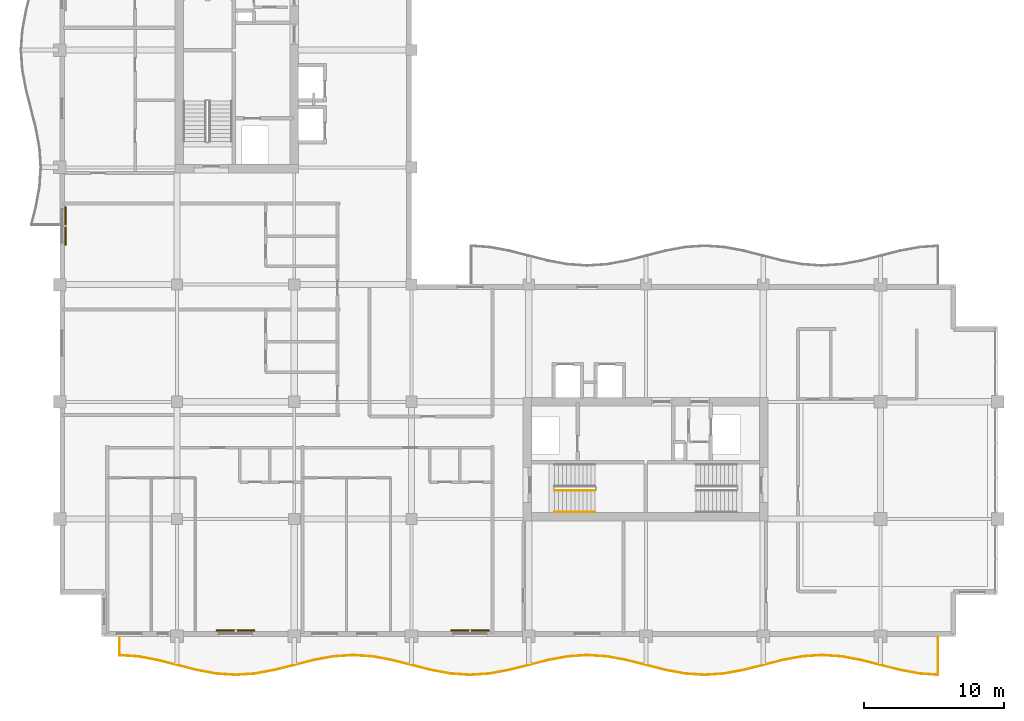
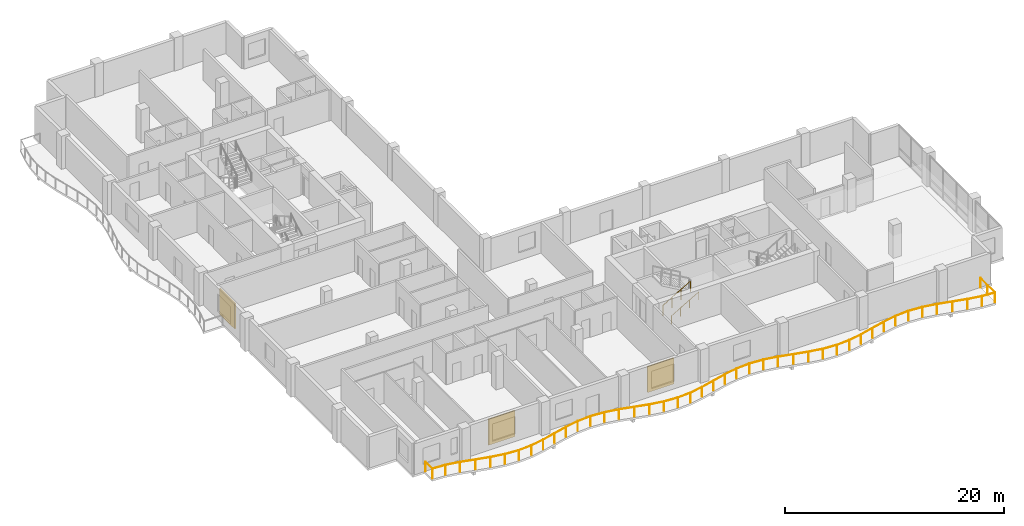
# One storey, part 13 of 16: 3 railings, 3 shading devices.
"""IFC4 building model written with IfcOpenShell, lengths in metres."""

from ifc_helpers import new_model, si_unit, direction, frame, origin, origin_2d, place, context, subcontext, project, spatial, rectangle, circle, extrude, material, layer, layer_set, type_object, element, save


model = new_model("IFC4")

# Units and contexts
model_context = context("Model", 3, precision=1e-05, world=origin(), true_north=direction((0.0, 1.0)))
body_context = subcontext(model_context, "Body", "Model", "MODEL_VIEW")
ifc_project = project(units=[si_unit("LENGTHUNIT", "METRE"), si_unit("AREAUNIT", "SQUARE_METRE"), si_unit("VOLUMEUNIT", "CUBIC_METRE"), si_unit("PLANEANGLEUNIT", "RADIAN"), si_unit("MASSUNIT", "GRAM", prefix="KILO")], contexts=[model_context])

# Site, building, storey
site_placement = place(None, origin())
site = spatial("IfcSite", under=ifc_project, at=site_placement, CompositionType="ELEMENT")
building_placement = place(site_placement, origin())
building = spatial("IfcBuilding", under=site, at=building_placement, Name="Koriwani Terraces Tower", CompositionType="ELEMENT")
storey_placement = place(building_placement, frame((0.0, 0.0, 260.10009765625)))
storey = spatial("IfcBuildingStorey", under=building, at=storey_placement, Name="L64", CompositionType="ELEMENT", Elevation=260.10009765625)

# Railings
ifc_material_1 = material(Name="Steel ASTM A572 Grade 50", Category="steel")
railing_type_1 = type_object("IfcRailingType", Name="GUARD_BALUSTRADE_1150", PredefinedType="BALUSTRADE", material=ifc_material_1)
railing_1_placement = place(storey_placement, frame((12.679931640625, 8.320068359375, 0.0)))
element("IfcRailing", 1, at=railing_1_placement, inside=storey, type_object=railing_type_1, Name="L64 Balcony Perimeter Safety Balustrade (S)", PredefinedType="BALUSTRADE", context=body_context, shape_type="SweptSolid", body=[
    extrude(circle(Radius=0.02392578125, at=origin_2d()), frame((0.0, 0.0, 1.1259765625), z_axis=(0.0, -1.0, 0.0), x_axis=(1.0, 0.0, 0.0)), (0.0, 0.0, 1.0), 1.275146484375),
    extrude(circle(Radius=0.02392578125, at=origin_2d()), frame((0.0, -1.275146484375, 1.1259765625), z_axis=(0.997676908726, -0.068123313151, 0.0), x_axis=(0.068123313151, 0.997676908726, 0.0)), (0.0, 0.0, 1.0), 1.333251953125),
    extrude(circle(Radius=0.02392578125, at=origin_2d()), frame((1.330078125, -1.365966796875, 1.1259765625), z_axis=(0.983227655562, -0.182382502828, 0.0), x_axis=(0.182382502828, 0.983227655562, 0.0)), (0.0, 0.0, 1.0), 1.430908203125),
    extrude(circle(Radius=0.02392578125, at=origin_2d()), frame((2.737060546875, -1.626953125, 1.1259765625), z_axis=(0.969331819617, -0.245755617389, 0.0), x_axis=(0.245755617389, 0.969331819617, 0.0)), (0.0, 0.0, 1.0), 2.888916015625),
    extrude(circle(Radius=0.02392578125, at=origin_2d()), frame((5.537353515625, -2.3369140625, 1.1259765625), z_axis=(0.98320420208, -0.182508895706, 0.0), x_axis=(0.182508895706, 0.98320420208, 0.0)), (0.0, 0.0, 1.0), 1.41650390625),
    extrude(circle(Radius=0.02392578125, at=origin_2d()), frame((6.93017578125, -2.595458984375, 1.1259765625), z_axis=(0.997697457915, -0.067821696155, 0.0), x_axis=(0.067821696155, 0.997697457915, 0.0)), (0.0, 0.0, 1.0), 1.39306640625),
    extrude(circle(Radius=0.02392578125, at=origin_2d()), frame((8.320068359375, -2.68994140625, 1.1259765625), z_axis=(0.997697457915, 0.067821696155, 0.0), x_axis=(-0.067821696155, 0.997697457915, 0.0)), (0.0, 0.0, 1.0), 1.39306640625),
    extrude(circle(Radius=0.02392578125, at=origin_2d()), frame((9.7099609375, -2.595458984375, 1.1259765625), z_axis=(0.98320420208, 0.182508895706, 0.0), x_axis=(-0.182508895706, 0.98320420208, 0.0)), (0.0, 0.0, 1.0), 1.41650390625),
    extrude(circle(Radius=0.02392578125, at=origin_2d()), frame((11.102783203125, -2.3369140625, 1.1259765625), z_axis=(0.969331819617, 0.245755617389, 0.0), x_axis=(-0.245755617389, 0.969331819617, 0.0)), (0.0, 0.0, 1.0), 2.888916015625),
    extrude(circle(Radius=0.02392578125, at=origin_2d()), frame((13.903076171875, -1.626953125, 1.1259765625), z_axis=(0.983227655562, 0.182382502828, 0.0), x_axis=(-0.182382502828, 0.983227655562, 0.0)), (0.0, 0.0, 1.0), 1.430908203125),
    extrude(circle(Radius=0.02392578125, at=origin_2d()), frame((15.31005859375, -1.365966796875, 1.1259765625), z_axis=(0.997704165633, 0.067722949425, 0.0), x_axis=(-0.067722949425, 0.997704165633, 0.0)), (0.0, 0.0, 1.0), 1.4130859375),
    extrude(circle(Radius=0.02392578125, at=origin_2d()), frame((16.719970703125, -1.270263671875, 1.1259765625), z_axis=(0.997704957786, -0.067711278299, 0.0), x_axis=(0.067711278299, 0.997704957786, 0.0)), (0.0, 0.0, 1.0), 1.413330078125),
    extrude(circle(Radius=0.02392578125, at=origin_2d()), frame((18.130126953125, -1.365966796875, 1.1259765625), z_axis=(0.983227655562, -0.182382502828, 0.0), x_axis=(0.182382502828, 0.983227655562, 0.0)), (0.0, 0.0, 1.0), 1.430908203125),
    extrude(circle(Radius=0.02392578125, at=origin_2d()), frame((19.537109375, -1.626953125, 1.1259765625), z_axis=(0.969326714928, -0.245775750895, 0.0), x_axis=(0.245775750895, 0.969326714928, 0.0)), (0.0, 0.0, 1.0), 2.888671875),
    extrude(circle(Radius=0.02392578125, at=origin_2d()), frame((22.337158203125, -2.3369140625, 1.1259765625), z_axis=(0.98320420208, -0.182508895706, 0.0), x_axis=(0.182508895706, 0.98320420208, 0.0)), (0.0, 0.0, 1.0), 1.41650390625),
    extrude(circle(Radius=0.02392578125, at=origin_2d()), frame((23.72998046875, -2.595458984375, 1.1259765625), z_axis=(0.997698263815, -0.067809839848, 0.0), x_axis=(0.067809839848, 0.997698263815, 0.0)), (0.0, 0.0, 1.0), 1.393310546875),
    extrude(circle(Radius=0.02392578125, at=origin_2d()), frame((25.1201171875, -2.68994140625, 1.1259765625), z_axis=(0.997697457915, 0.067821696155, 0.0), x_axis=(-0.067821696155, 0.997697457915, 0.0)), (0.0, 0.0, 1.0), 1.39306640625),
    extrude(circle(Radius=0.02392578125, at=origin_2d()), frame((26.510009765625, -2.595458984375, 1.1259765625), z_axis=(0.98320420208, 0.182508895706, 0.0), x_axis=(-0.182508895706, 0.98320420208, 0.0)), (0.0, 0.0, 1.0), 1.41650390625),
    extrude(circle(Radius=0.02392578125, at=origin_2d()), frame((27.90283203125, -2.3369140625, 1.1259765625), z_axis=(0.969326714928, 0.245775750895, 0.0), x_axis=(-0.245775750895, 0.969326714928, 0.0)), (0.0, 0.0, 1.0), 2.888671875),
    extrude(circle(Radius=0.02392578125, at=origin_2d()), frame((30.702880859375, -1.626953125, 1.1259765625), z_axis=(0.983233329212, 0.182351913416, 0.0), x_axis=(-0.182351913416, 0.983233329212, 0.0)), (0.0, 0.0, 1.0), 1.43115234375),
    extrude(circle(Radius=0.02392578125, at=origin_2d()), frame((32.110107421875, -1.365966796875, 1.1259765625), z_axis=(0.997704165633, 0.067722949425, 0.0), x_axis=(-0.067722949425, 0.997704165633, 0.0)), (0.0, 0.0, 1.0), 1.4130859375),
    extrude(circle(Radius=0.02392578125, at=origin_2d()), frame((33.52001953125, -1.270263671875, 1.1259765625), z_axis=(0.997704957786, -0.067711278299, 0.0), x_axis=(0.067711278299, 0.997704957786, 0.0)), (0.0, 0.0, 1.0), 1.413330078125),
    extrude(circle(Radius=0.02392578125, at=origin_2d()), frame((34.93017578125, -1.365966796875, 1.1259765625), z_axis=(0.983227655562, -0.182382502828, 0.0), x_axis=(0.182382502828, 0.983227655562, 0.0)), (0.0, 0.0, 1.0), 1.430908203125),
    extrude(circle(Radius=0.02392578125, at=origin_2d()), frame((36.337158203125, -1.626953125, 1.1259765625), z_axis=(0.969326714928, -0.245775750895, 0.0), x_axis=(0.245775750895, 0.969326714928, 0.0)), (0.0, 0.0, 1.0), 2.888671875),
    extrude(circle(Radius=0.02392578125, at=origin_2d()), frame((39.13720703125, -2.3369140625, 1.1259765625), z_axis=(0.98320420208, -0.182508895706, 0.0), x_axis=(0.182508895706, 0.98320420208, 0.0)), (0.0, 0.0, 1.0), 1.41650390625),
    extrude(circle(Radius=0.02392578125, at=origin_2d()), frame((40.530029296875, -2.595458984375, 1.1259765625), z_axis=(0.997698263815, -0.067809839848, 0.0), x_axis=(0.067809839848, 0.997698263815, 0.0)), (0.0, 0.0, 1.0), 1.393310546875),
    extrude(circle(Radius=0.02392578125, at=origin_2d()), frame((41.920166015625, -2.68994140625, 1.1259765625), z_axis=(0.997697457915, 0.067821696155, 0.0), x_axis=(-0.067821696155, 0.997697457915, 0.0)), (0.0, 0.0, 1.0), 1.39306640625),
    extrude(circle(Radius=0.02392578125, at=origin_2d()), frame((43.31005859375, -2.595458984375, 1.1259765625), z_axis=(0.98320420208, 0.182508895706, 0.0), x_axis=(-0.182508895706, 0.98320420208, 0.0)), (0.0, 0.0, 1.0), 1.41650390625),
    extrude(circle(Radius=0.02392578125, at=origin_2d()), frame((44.702880859375, -2.3369140625, 1.1259765625), z_axis=(0.969326714928, 0.245775750895, 0.0), x_axis=(-0.245775750895, 0.969326714928, 0.0)), (0.0, 0.0, 1.0), 2.888671875),
    extrude(circle(Radius=0.02392578125, at=origin_2d()), frame((47.5029296875, -1.626953125, 1.1259765625), z_axis=(0.983233329212, 0.182351913416, 0.0), x_axis=(-0.182351913416, 0.983233329212, 0.0)), (0.0, 0.0, 1.0), 1.43115234375),
    extrude(circle(Radius=0.02392578125, at=origin_2d()), frame((48.91015625, -1.365966796875, 1.1259765625), z_axis=(0.997704165633, 0.067722949425, 0.0), x_axis=(-0.067722949425, 0.997704165633, 0.0)), (0.0, 0.0, 1.0), 1.4130859375),
    extrude(circle(Radius=0.02392578125, at=origin_2d()), frame((50.320068359375, -1.270263671875, 1.1259765625), z_axis=(0.997704165633, -0.067722949425, 0.0), x_axis=(0.067722949425, 0.997704165633, 0.0)), (0.0, 0.0, 1.0), 1.4130859375),
    extrude(circle(Radius=0.02392578125, at=origin_2d()), frame((51.72998046875, -1.365966796875, 1.1259765625), z_axis=(0.983233329212, -0.182351913416, 0.0), x_axis=(0.182351913416, 0.983233329212, 0.0)), (0.0, 0.0, 1.0), 1.43115234375),
    extrude(circle(Radius=0.02392578125, at=origin_2d()), frame((53.13720703125, -1.626953125, 1.1259765625), z_axis=(0.969326714928, -0.245775750895, 0.0), x_axis=(0.245775750895, 0.969326714928, 0.0)), (0.0, 0.0, 1.0), 2.888671875),
    extrude(circle(Radius=0.02392578125, at=origin_2d()), frame((55.937255859375, -2.3369140625, 1.1259765625), z_axis=(0.98320420208, -0.182508895706, 0.0), x_axis=(0.182508895706, 0.98320420208, 0.0)), (0.0, 0.0, 1.0), 1.41650390625),
    extrude(circle(Radius=0.02392578125, at=origin_2d()), frame((57.330078125, -2.595458984375, 1.1259765625), z_axis=(0.997694577512, -0.06786405531, 0.0), x_axis=(0.06786405531, 0.997694577512, 0.0)), (0.0, 0.0, 1.0), 1.31298828125),
    extrude(circle(Radius=0.02392578125, at=origin_2d()), frame((58.64013671875, -2.6845703125, 1.1259765625), z_axis=(0.0, 1.0, 0.0), x_axis=(-1.0, 0.0, 0.0)), (0.0, 0.0, 1.0), 2.6845703125),
    extrude(circle(Radius=0.02099609375, at=origin_2d()), origin(), (0.0, 0.0, 1.0), 1.101806640625),
    extrude(circle(Radius=0.02099609375, at=origin_2d()), frame((0.0, -1.275146484375, 0.0)), (0.0, 0.0, 1.0), 1.101806640625),
    extrude(circle(Radius=0.02099609375, at=origin_2d()), frame((1.330078125, -1.365966796875, 0.0)), (0.0, 0.0, 1.0), 1.101806640625),
    extrude(circle(Radius=0.02099609375, at=origin_2d()), frame((2.737060546875, -1.626953125, 0.0)), (0.0, 0.0, 1.0), 1.101806640625),
    extrude(circle(Radius=0.02099609375, at=origin_2d()), frame((4.13720703125, -1.98193359375, 0.0)), (0.0, 0.0, 1.0), 1.101806640625),
    extrude(circle(Radius=0.02099609375, at=origin_2d()), frame((5.537353515625, -2.3369140625, 0.0)), (0.0, 0.0, 1.0), 1.101806640625),
    extrude(circle(Radius=0.02099609375, at=origin_2d()), frame((6.93017578125, -2.595458984375, 0.0)), (0.0, 0.0, 1.0), 1.101806640625),
    extrude(circle(Radius=0.02099609375, at=origin_2d()), frame((8.320068359375, -2.68994140625, 0.0)), (0.0, 0.0, 1.0), 1.101806640625),
    extrude(circle(Radius=0.02099609375, at=origin_2d()), frame((9.7099609375, -2.595458984375, 0.0)), (0.0, 0.0, 1.0), 1.101806640625),
    extrude(circle(Radius=0.02099609375, at=origin_2d()), frame((11.102783203125, -2.3369140625, 0.0)), (0.0, 0.0, 1.0), 1.101806640625),
    extrude(circle(Radius=0.02099609375, at=origin_2d()), frame((12.5029296875, -1.98193359375, 0.0)), (0.0, 0.0, 1.0), 1.101806640625),
    extrude(circle(Radius=0.02099609375, at=origin_2d()), frame((13.903076171875, -1.626953125, 0.0)), (0.0, 0.0, 1.0), 1.101806640625),
    extrude(circle(Radius=0.02099609375, at=origin_2d()), frame((15.31005859375, -1.365966796875, 0.0)), (0.0, 0.0, 1.0), 1.101806640625),
    extrude(circle(Radius=0.02099609375, at=origin_2d()), frame((16.719970703125, -1.270263671875, 0.0)), (0.0, 0.0, 1.0), 1.101806640625),
    extrude(circle(Radius=0.02099609375, at=origin_2d()), frame((18.130126953125, -1.365966796875, 0.0)), (0.0, 0.0, 1.0), 1.101806640625),
    extrude(circle(Radius=0.02099609375, at=origin_2d()), frame((19.537109375, -1.626953125, 0.0)), (0.0, 0.0, 1.0), 1.101806640625),
    extrude(circle(Radius=0.02099609375, at=origin_2d()), frame((20.93701171875, -1.98193359375, 0.0)), (0.0, 0.0, 1.0), 1.101806640625),
    extrude(circle(Radius=0.02099609375, at=origin_2d()), frame((22.337158203125, -2.3369140625, 0.0)), (0.0, 0.0, 1.0), 1.101806640625),
    extrude(circle(Radius=0.02099609375, at=origin_2d()), frame((23.72998046875, -2.595458984375, 0.0)), (0.0, 0.0, 1.0), 1.101806640625),
    extrude(circle(Radius=0.02099609375, at=origin_2d()), frame((25.1201171875, -2.68994140625, 0.0)), (0.0, 0.0, 1.0), 1.101806640625),
    extrude(circle(Radius=0.02099609375, at=origin_2d()), frame((26.510009765625, -2.595458984375, 0.0)), (0.0, 0.0, 1.0), 1.101806640625),
    extrude(circle(Radius=0.02099609375, at=origin_2d()), frame((27.90283203125, -2.3369140625, 0.0)), (0.0, 0.0, 1.0), 1.101806640625),
    extrude(circle(Radius=0.02099609375, at=origin_2d()), frame((29.302734375, -1.98193359375, 0.0)), (0.0, 0.0, 1.0), 1.101806640625),
    extrude(circle(Radius=0.02099609375, at=origin_2d()), frame((30.702880859375, -1.626953125, 0.0)), (0.0, 0.0, 1.0), 1.101806640625),
    extrude(circle(Radius=0.02099609375, at=origin_2d()), frame((32.110107421875, -1.365966796875, 0.0)), (0.0, 0.0, 1.0), 1.101806640625),
    extrude(circle(Radius=0.02099609375, at=origin_2d()), frame((33.52001953125, -1.270263671875, 0.0)), (0.0, 0.0, 1.0), 1.101806640625),
    extrude(circle(Radius=0.02099609375, at=origin_2d()), frame((34.93017578125, -1.365966796875, 0.0)), (0.0, 0.0, 1.0), 1.101806640625),
    extrude(circle(Radius=0.02099609375, at=origin_2d()), frame((36.337158203125, -1.626953125, 0.0)), (0.0, 0.0, 1.0), 1.101806640625),
    extrude(circle(Radius=0.02099609375, at=origin_2d()), frame((37.7373046875, -1.98193359375, 0.0)), (0.0, 0.0, 1.0), 1.101806640625),
    extrude(circle(Radius=0.02099609375, at=origin_2d()), frame((39.13720703125, -2.3369140625, 0.0)), (0.0, 0.0, 1.0), 1.101806640625),
    extrude(circle(Radius=0.02099609375, at=origin_2d()), frame((40.530029296875, -2.595458984375, 0.0)), (0.0, 0.0, 1.0), 1.101806640625),
    extrude(circle(Radius=0.02099609375, at=origin_2d()), frame((41.920166015625, -2.68994140625, 0.0)), (0.0, 0.0, 1.0), 1.101806640625),
    extrude(circle(Radius=0.02099609375, at=origin_2d()), frame((43.31005859375, -2.595458984375, 0.0)), (0.0, 0.0, 1.0), 1.101806640625),
    extrude(circle(Radius=0.02099609375, at=origin_2d()), frame((44.702880859375, -2.3369140625, 0.0)), (0.0, 0.0, 1.0), 1.101806640625),
    extrude(circle(Radius=0.02099609375, at=origin_2d()), frame((46.10302734375, -1.98193359375, 0.0)), (0.0, 0.0, 1.0), 1.101806640625),
    extrude(circle(Radius=0.02099609375, at=origin_2d()), frame((47.5029296875, -1.626953125, 0.0)), (0.0, 0.0, 1.0), 1.101806640625),
    extrude(circle(Radius=0.02099609375, at=origin_2d()), frame((48.91015625, -1.365966796875, 0.0)), (0.0, 0.0, 1.0), 1.101806640625),
    extrude(circle(Radius=0.02099609375, at=origin_2d()), frame((50.320068359375, -1.270263671875, 0.0)), (0.0, 0.0, 1.0), 1.101806640625),
    extrude(circle(Radius=0.02099609375, at=origin_2d()), frame((51.72998046875, -1.365966796875, 0.0)), (0.0, 0.0, 1.0), 1.101806640625),
    extrude(circle(Radius=0.02099609375, at=origin_2d()), frame((53.13720703125, -1.626953125, 0.0)), (0.0, 0.0, 1.0), 1.101806640625),
    extrude(circle(Radius=0.02099609375, at=origin_2d()), frame((54.537109375, -1.98193359375, 0.0)), (0.0, 0.0, 1.0), 1.101806640625),
    extrude(circle(Radius=0.02099609375, at=origin_2d()), frame((55.937255859375, -2.3369140625, 0.0)), (0.0, 0.0, 1.0), 1.101806640625),
    extrude(circle(Radius=0.02099609375, at=origin_2d()), frame((57.330078125, -2.595458984375, 0.0)), (0.0, 0.0, 1.0), 1.101806640625),
    extrude(circle(Radius=0.02099609375, at=origin_2d()), frame((58.64013671875, -2.6845703125, 0.0)), (0.0, 0.0, 1.0), 1.101806640625),
    extrude(circle(Radius=0.02099609375, at=origin_2d()), frame((58.64013671875, -1.34228515625, 0.0)), (0.0, 0.0, 1.0), 1.101806640625),
    extrude(circle(Radius=0.02099609375, at=origin_2d()), frame((58.64013671875, 0.0, 0.0)), (0.0, 0.0, 1.0), 1.101806640625),
])
railing_type_2 = type_object("IfcRailingType", Name="GUARD_STAIR_WELL_1120", PredefinedType="GUARDRAIL", material=ifc_material_1)
railing_2_placement = place(storey_placement, frame((43.85009765625, 18.85009765625, 0.16796875)))
element("IfcRailing", 2, at=railing_2_placement, inside=storey, type_object=railing_type_2, Name="L64 ST-E1 stair guard 1", PredefinedType="GUARDRAIL", context=body_context, shape_type="SweptSolid", body=[
    extrude(circle(Radius=0.02392578125, at=origin_2d()), frame((0.0, 0.0, 1.1259765625), z_axis=(0.865038774852, 0.0, 0.501705010941), x_axis=(0.0, 1.0, 0.0)), (0.0, 0.0, 1.0), 3.352294921875),
    extrude(circle(Radius=0.02099609375, at=origin_2d()), origin(), (0.0, 0.0, 1.0), 1.101806640625),
    extrude(circle(Radius=0.02099609375, at=origin_2d()), frame((0.966552734375, 0.0, 0.560546875)), (0.0, 0.0, 1.0), 1.101806640625),
    extrude(circle(Radius=0.02099609375, at=origin_2d()), frame((1.933349609375, 0.0, 1.121337890625)), (0.0, 0.0, 1.0), 1.101806640625),
    extrude(circle(Radius=0.02099609375, at=origin_2d()), frame((2.89990234375, 0.0, 1.681884765625)), (0.0, 0.0, 1.0), 1.101806640625),
])
railing_type_3 = type_object("IfcRailingType", Name="HANDRAIL_STAIR_920", PredefinedType="HANDRAIL", material=ifc_material_1)
railing_3_placement = place(storey_placement, frame((43.85009765625, 17.300048828125, 0.16796875)))
element("IfcRailing", 3, at=railing_3_placement, inside=storey, type_object=railing_type_3, Name="L64 ST-E1 stair handrail 1", PredefinedType="HANDRAIL", context=body_context, shape_type="SweptSolid", body=[
    extrude(circle(Radius=0.02392578125, at=origin_2d()), frame((0.0, 0.0, 0.8759765625), z_axis=(0.865038774852, 0.0, 0.501705010941), x_axis=(0.0, 1.0, 0.0)), (0.0, 0.0, 1.0), 3.352294921875),
    extrude(circle(Radius=0.02099609375, at=origin_2d()), origin(), (0.0, 0.0, 1.0), 0.851806640625),
    extrude(circle(Radius=0.02099609375, at=origin_2d()), frame((0.966552734375, 0.0, 0.560546875)), (0.0, 0.0, 1.0), 0.851806640625),
    extrude(circle(Radius=0.02099609375, at=origin_2d()), frame((1.933349609375, 0.0, 1.121337890625)), (0.0, 0.0, 1.0), 0.851806640625),
    extrude(circle(Radius=0.02099609375, at=origin_2d()), frame((2.89990234375, 0.0, 1.681884765625)), (0.0, 0.0, 1.0), 0.851806640625),
])

# Shading devices
ifc_material_2 = material(Name="Extruded Terracotta Clay", Category="masonry")
ifc_layer = layer(ifc_material_2, 0.1201171875, Name="Extruded Terracotta Clay")
ifc_layer_set = layer_set([ifc_layer], Name="Extruded Terracotta Clay")
shading_device_type = type_object("IfcShadingDeviceType", Name="TERRACOTTA_BAGUETTE_SCREEN_2800", PredefinedType="USERDEFINED", material=ifc_layer_set)
for number, where, z_axis, x_axis, name in (
    (4, (8.804931640625, 37.800048828125, 0.284912109375), (0.0, 0.0, 1.0), (0.0, 1.0, 0.0), "L64 Extruded Terracotta Baguette Screen (W-9)"),
    (5, (21.0, 8.804931640625, 0.284912109375), (0.0, 0.0, 1.0), (-1.0, 0.0, 0.0), "L64 Extruded Terracotta Baguette Screen (S-3)"),
    (6, (37.800048828125, 8.804931640625, 0.284912109375), (0.0, 0.0, 1.0), (-1.0, 0.0, 0.0), "L64 Extruded Terracotta Baguette Screen (S-9)"),
):
    element("IfcShadingDevice", number, at=place(storey_placement, frame(where, z_axis=z_axis, x_axis=x_axis)), inside=storey, type_object=shading_device_type, Name=name, ObjectType="BAGUETTE", PredefinedType="USERDEFINED", context=body_context, shape_type="SweptSolid", body=[
        extrude(rectangle(XDim=2.760009765625, YDim=0.1201171875, at=origin_2d()), origin(), (0.0, 0.0, 1.0), 2.89990234375),
    ])

save(model, "model.ifc")
